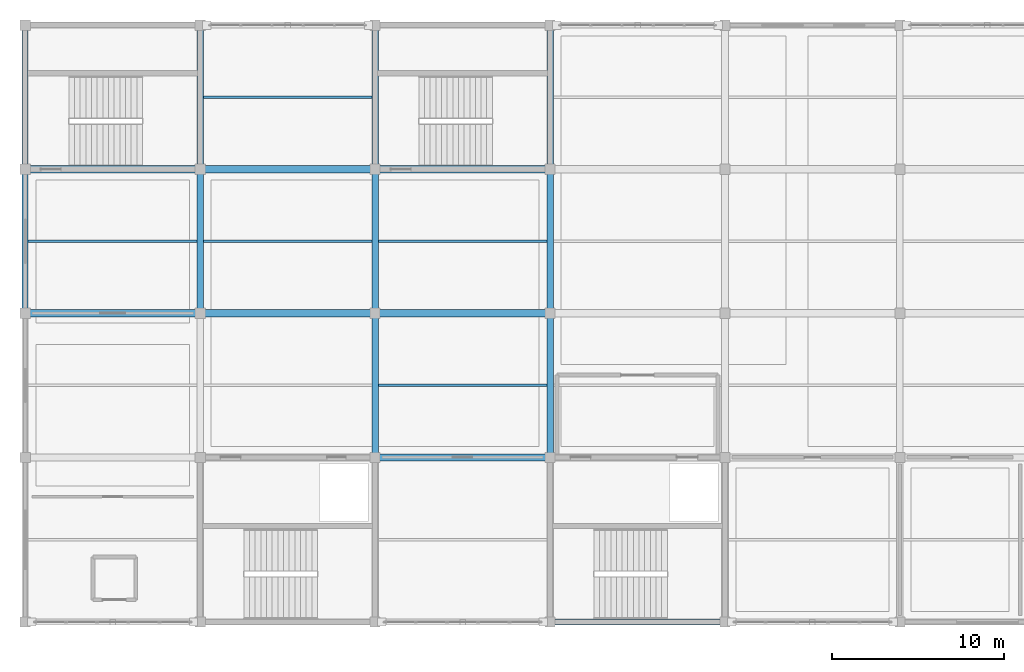
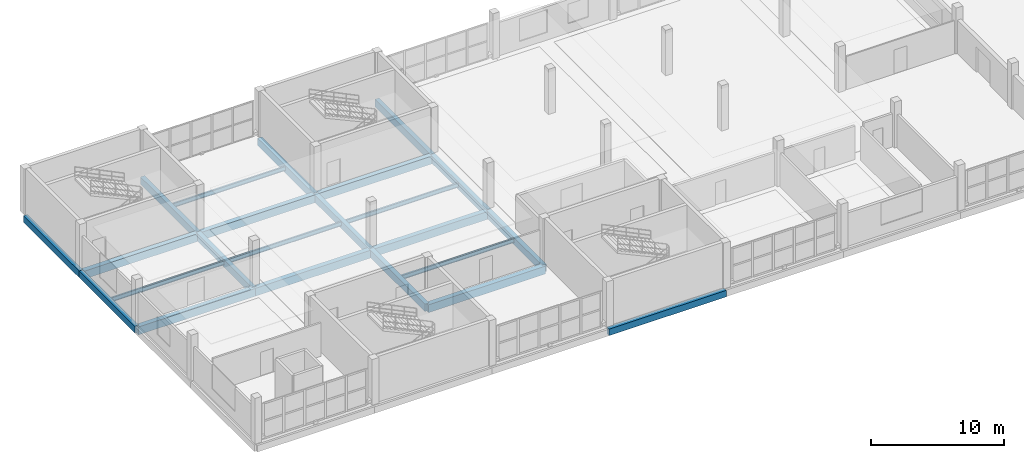
# One storey, part 5 of 24: 23 beams.
"""IFC4 building model written with IfcOpenShell, lengths in metres."""

from ifc_helpers import new_model, si_unit, direction, frame, origin, origin_2d, place, context, subcontext, project, spatial, rectangle, i_section, extrude, material, material_profile, profile_set, type_object, element, save


model = new_model("IFC4")

# Units and contexts
model_context = context("Model", 3, precision=1e-05, world=origin(), true_north=direction((0.0, 1.0)))
body_context = subcontext(model_context, "Body", "Model", "MODEL_VIEW")
ifc_project = project(units=[si_unit("LENGTHUNIT", "METRE"), si_unit("AREAUNIT", "SQUARE_METRE"), si_unit("VOLUMEUNIT", "CUBIC_METRE"), si_unit("PLANEANGLEUNIT", "RADIAN"), si_unit("MASSUNIT", "GRAM", prefix="KILO")], contexts=[model_context])

# Site, building, storey
site_placement = place(None, origin())
site = spatial("IfcSite", under=ifc_project, at=site_placement, CompositionType="ELEMENT")
building_placement = place(site_placement, origin())
building = spatial("IfcBuilding", under=site, at=building_placement, Name="Brelvane Convention Centre", CompositionType="ELEMENT")
storey_placement = place(building_placement, frame((0.0, 0.0, 19.199951171875)))
storey = spatial("IfcBuildingStorey", under=building, at=storey_placement, Name="L04", CompositionType="ELEMENT", Elevation=19.199951171875)

# Beams
ifc_material_1 = material(Name="Concrete M40", Category="concrete")
ifc_material_profile_1 = material_profile(ifc_material_1, rectangle(XDim=0.419921875, YDim=0.719970703125, at=origin_2d()), Name="RC 420x720")
ifc_profile_set_1 = profile_set([ifc_material_profile_1], Name="Concrete M40")
beam_type_1 = type_object("IfcBeamType", Name="RC Beam B-RC13 (RC 420x720)", PredefinedType="BEAM", material=ifc_profile_set_1)
for number, where, z_axis, x_axis, name in (
    (1, (0.0, 127.199951171875, -0.6650390625), (1.0, 0.0, 0.0), (0.0, 1.0, 0.0), "L04 Beam 1-2/N"),
    (2, (0.0, 135.60009765625, -0.6650390625), (1.0, 0.0, 0.0), (0.0, 1.0, 0.0), "L04 Beam 1-2/P"),
    (3, (10.199951171875, 127.199951171875, -0.6650390625), (1.0, 0.0, 0.0), (0.0, 1.0, 0.0), "L04 Beam 2-3/N"),
    (4, (10.199951171875, 135.60009765625, -0.6650390625), (1.0, 0.0, 0.0), (0.0, 1.0, 0.0), "L04 Beam 2-3/P"),
):
    element("IfcBeam", number, at=place(storey_placement, frame(where, z_axis=z_axis, x_axis=x_axis)), inside=storey, type_object=beam_type_1, Name=name, PredefinedType="BEAM", context=body_context, shape_type="SweptSolid", body=[
        extrude(rectangle(XDim=0.419921875, YDim=0.719970703125, at=origin_2d()), origin(), (0.0, 0.0, 1.0), 10.199951171875),
    ])
for number, where, z_axis, x_axis, name in (
    (5, (20.39990234375, 118.800048828125, -0.6650390625), (1.0, 0.0, 0.0), (0.0, 1.0, 0.0), "L04 Beam 3-4/M"),
    (6, (20.39990234375, 127.199951171875, -0.6650390625), (1.0, 0.0, 0.0), (0.0, 1.0, 0.0), "L04 Beam 3-4/N"),
    (7, (20.39990234375, 135.60009765625, -0.6650390625), (1.0, 0.0, 0.0), (0.0, 1.0, 0.0), "L04 Beam 3-4/P"),
):
    element("IfcBeam", number, at=place(storey_placement, frame(where, z_axis=z_axis, x_axis=x_axis)), inside=storey, type_object=beam_type_1, Name=name, PredefinedType="BEAM", context=body_context, shape_type="SweptSolid", body=[
        extrude(rectangle(XDim=0.419921875, YDim=0.719970703125, at=origin_2d()), origin(), (0.0, 0.0, 1.0), 10.2001953125),
    ])
ifc_material_2 = material(Name="Concrete M40", Category="concrete")
ifc_material_profile_2 = material_profile(ifc_material_2, rectangle(XDim=0.3798828125, YDim=0.679931640625, at=origin_2d()), Name="RC 380x680")
ifc_profile_set_2 = profile_set([ifc_material_profile_2], Name="Concrete M40")
beam_type_2 = type_object("IfcBeamType", Name="RC Beam B-RC14 (RC 380x680)", PredefinedType="BEAM", material=ifc_profile_set_2)
beam_1_placement = place(storey_placement, frame((10.199951171875, 127.199951171875, -0.64501953125), z_axis=(0.0, 1.0, 0.0), x_axis=(-1.0, 0.0, 0.0)))
element("IfcBeam", 8, at=beam_1_placement, inside=storey, type_object=beam_type_2, Name="L04 Girder 2/N-P", PredefinedType="BEAM", context=body_context, shape_type="SweptSolid", body=[
    extrude(rectangle(XDim=0.3798828125, YDim=0.679931640625, at=origin_2d()), origin(), (0.0, 0.0, 1.0), 8.400146484375),
])
for number, where, z_axis, x_axis, name in (
    (9, (10.199951171875, 135.60009765625, -0.64501953125), (0.0, 1.0, 0.0), (-1.0, 0.0, 0.0), "L04 Girder 2/P-Q"),
    (10, (20.39990234375, 118.800048828125, -0.64501953125), (0.0, 1.0, 0.0), (-1.0, 0.0, 0.0), "L04 Girder 3/M-N"),
):
    element("IfcBeam", number, at=place(storey_placement, frame(where, z_axis=z_axis, x_axis=x_axis)), inside=storey, type_object=beam_type_2, Name=name, PredefinedType="BEAM", context=body_context, shape_type="SweptSolid", body=[
        extrude(rectangle(XDim=0.3798828125, YDim=0.679931640625, at=origin_2d()), origin(), (0.0, 0.0, 1.0), 8.39990234375),
    ])
beam_2_placement = place(storey_placement, frame((20.39990234375, 127.199951171875, -0.64501953125), z_axis=(0.0, 1.0, 0.0), x_axis=(-1.0, 0.0, 0.0)))
element("IfcBeam", 11, at=beam_2_placement, inside=storey, type_object=beam_type_2, Name="L04 Girder 3/N-P", PredefinedType="BEAM", context=body_context, shape_type="SweptSolid", body=[
    extrude(rectangle(XDim=0.3798828125, YDim=0.679931640625, at=origin_2d()), origin(), (0.0, 0.0, 1.0), 8.400146484375),
])
for number, where, z_axis, x_axis, name in (
    (12, (20.39990234375, 135.60009765625, -0.64501953125), (0.0, 1.0, 0.0), (-1.0, 0.0, 0.0), "L04 Girder 3/P-Q"),
    (13, (30.60009765625, 118.800048828125, -0.64501953125), (0.0, 1.0, 0.0), (-1.0, 0.0, 0.0), "L04 Girder 4/M-N"),
):
    element("IfcBeam", number, at=place(storey_placement, frame(where, z_axis=z_axis, x_axis=x_axis)), inside=storey, type_object=beam_type_2, Name=name, PredefinedType="BEAM", context=body_context, shape_type="SweptSolid", body=[
        extrude(rectangle(XDim=0.3798828125, YDim=0.679931640625, at=origin_2d()), origin(), (0.0, 0.0, 1.0), 8.39990234375),
    ])
beam_3_placement = place(storey_placement, frame((30.60009765625, 127.199951171875, -0.64501953125), z_axis=(0.0, 1.0, 0.0), x_axis=(-1.0, 0.0, 0.0)))
element("IfcBeam", 14, at=beam_3_placement, inside=storey, type_object=beam_type_2, Name="L04 Girder 4/N-P", PredefinedType="BEAM", context=body_context, shape_type="SweptSolid", body=[
    extrude(rectangle(XDim=0.3798828125, YDim=0.679931640625, at=origin_2d()), origin(), (0.0, 0.0, 1.0), 8.400146484375),
])
beam_4_placement = place(storey_placement, frame((30.60009765625, 135.60009765625, -0.64501953125), z_axis=(0.0, 1.0, 0.0), x_axis=(-1.0, 0.0, 0.0)))
element("IfcBeam", 15, at=beam_4_placement, inside=storey, type_object=beam_type_2, Name="L04 Girder 4/P-Q", PredefinedType="BEAM", context=body_context, shape_type="SweptSolid", body=[
    extrude(rectangle(XDim=0.3798828125, YDim=0.679931640625, at=origin_2d()), origin(), (0.0, 0.0, 1.0), 8.39990234375),
])
ifc_material_3 = material(Name="Concrete M40", Category="concrete")
ifc_material_profile_3 = material_profile(ifc_material_3, rectangle(XDim=0.35009765625, YDim=0.60009765625, at=origin_2d()), Name="RC 350x600")
ifc_profile_set_3 = profile_set([ifc_material_profile_3], Name="Concrete M40")
beam_type_3 = type_object("IfcBeamType", Name="RC Spandrel SP-RC2 (RC 350x600)", PredefinedType="SPANDREL", material=ifc_profile_set_3)
beam_5_placement = place(storey_placement, frame((30.60009765625, 109.199951171875, -0.60498046875), z_axis=(1.0, 0.0, 0.0), x_axis=(0.0, 1.0, 0.0)))
element("IfcBeam", 16, at=beam_5_placement, inside=storey, type_object=beam_type_3, Name="L04 Beam 4-5/L", PredefinedType="SPANDREL", context=body_context, shape_type="SweptSolid", body=[
    extrude(rectangle(XDim=0.35009765625, YDim=0.60009765625, at=origin_2d()), origin(), (0.0, 0.0, 1.0), 10.199951171875),
])
beam_6_placement = place(storey_placement, frame((0.0, 127.199951171875, -0.60498046875), z_axis=(0.0, 1.0, 0.0), x_axis=(-1.0, 0.0, 0.0)))
element("IfcBeam", 17, at=beam_6_placement, inside=storey, type_object=beam_type_3, Name="L04 Girder 1/N-P", PredefinedType="SPANDREL", context=body_context, shape_type="SweptSolid", body=[
    extrude(rectangle(XDim=0.35009765625, YDim=0.60009765625, at=origin_2d()), origin(), (0.0, 0.0, 1.0), 8.400146484375),
])
beam_7_placement = place(storey_placement, frame((0.0, 135.60009765625, -0.60498046875), z_axis=(0.0, 1.0, 0.0), x_axis=(-1.0, 0.0, 0.0)))
element("IfcBeam", 18, at=beam_7_placement, inside=storey, type_object=beam_type_3, Name="L04 Girder 1/P-Q", PredefinedType="SPANDREL", context=body_context, shape_type="SweptSolid", body=[
    extrude(rectangle(XDim=0.35009765625, YDim=0.60009765625, at=origin_2d()), origin(), (0.0, 0.0, 1.0), 8.39990234375),
])
ifc_material_4 = material(Name="Steel E350 (350 MPa)", Category="steel")
ifc_material_profile_4 = material_profile(ifc_material_4, i_section(OverallWidth=0.139892578125, OverallDepth=0.39990234375, WebThickness=0.0087890625, FlangeThickness=0.01611328125, FilletRadius=0.013916015625, at=origin_2d()), Name="ISMB 400")
ifc_profile_set_4 = profile_set([ifc_material_profile_4], Name="Steel E350 (350 MPa)")
beam_type_4 = type_object("IfcBeamType", Name="Steel Joist J-ST1 (ISMB 400)", PredefinedType="JOIST", material=ifc_profile_set_4)
beam_8_placement = place(storey_placement, frame((0.175048828125, 131.39990234375, -0.5048828125), z_axis=(1.0, 0.0, 0.0), x_axis=(0.0, 1.0, 0.0)))
element("IfcBeam", 19, at=beam_8_placement, inside=storey, type_object=beam_type_4, Name="L04 Secondary Joist 1-2/NP", PredefinedType="JOIST", context=body_context, shape_type="SweptSolid", body=[
    extrude(i_section(OverallWidth=0.139892578125, OverallDepth=0.39990234375, WebThickness=0.0087890625, FlangeThickness=0.01611328125, FilletRadius=0.013916015625, at=origin_2d()), origin(), (0.0, 0.0, 1.0), 9.8349609375),
])
for number, where, z_axis, x_axis, name in (
    (20, (10.389892578125, 131.39990234375, -0.5048828125), (1.0, 0.0, 0.0), (0.0, 1.0, 0.0), "L04 Secondary Joist 2-3/NP"),
    (21, (10.389892578125, 139.800048828125, -0.5048828125), (1.0, 0.0, 0.0), (0.0, 1.0, 0.0), "L04 Secondary Joist 2-3/PQ"),
):
    element("IfcBeam", number, at=place(storey_placement, frame(where, z_axis=z_axis, x_axis=x_axis)), inside=storey, type_object=beam_type_4, Name=name, PredefinedType="JOIST", context=body_context, shape_type="SweptSolid", body=[
        extrude(i_section(OverallWidth=0.139892578125, OverallDepth=0.39990234375, WebThickness=0.0087890625, FlangeThickness=0.01611328125, FilletRadius=0.013916015625, at=origin_2d()), origin(), (0.0, 0.0, 1.0), 9.820068359375),
    ])
for number, where, z_axis, x_axis, name in (
    (22, (20.590087890625, 123.0, -0.5048828125), (1.0, 0.0, 0.0), (0.0, 1.0, 0.0), "L04 Secondary Joist 3-4/MN"),
    (23, (20.590087890625, 131.39990234375, -0.5048828125), (1.0, 0.0, 0.0), (0.0, 1.0, 0.0), "L04 Secondary Joist 3-4/NP"),
):
    element("IfcBeam", number, at=place(storey_placement, frame(where, z_axis=z_axis, x_axis=x_axis)), inside=storey, type_object=beam_type_4, Name=name, PredefinedType="JOIST", context=body_context, shape_type="SweptSolid", body=[
        extrude(i_section(OverallWidth=0.139892578125, OverallDepth=0.39990234375, WebThickness=0.0087890625, FlangeThickness=0.01611328125, FilletRadius=0.013916015625, at=origin_2d()), origin(), (0.0, 0.0, 1.0), 9.81982421875),
    ])

save(model, "model.ifc")
